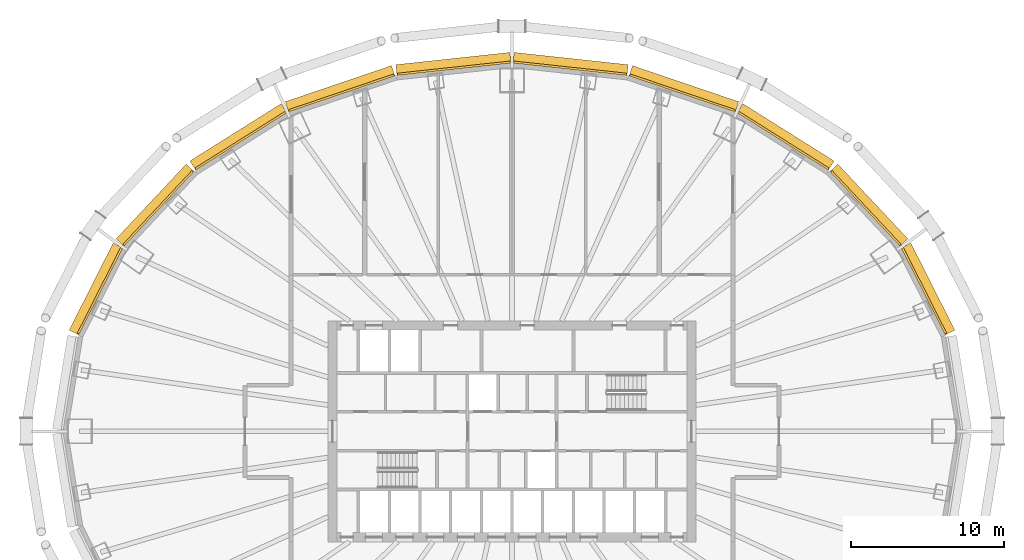
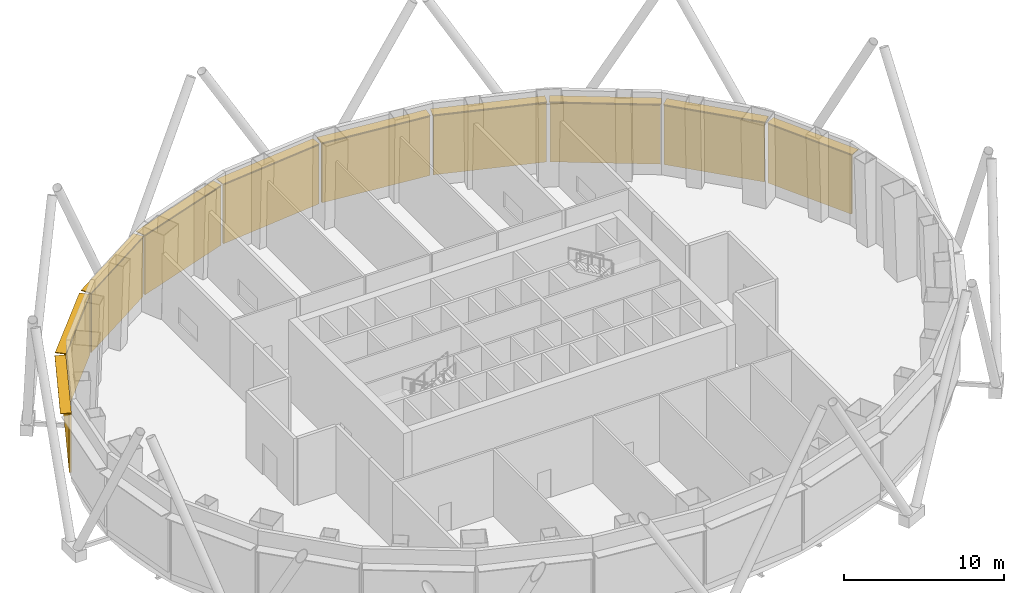
# One storey, part 13 of 13: 20 shading devices.
"""IFC4 building model written with IfcOpenShell, lengths in metres."""

from ifc_helpers import new_model, si_unit, direction, frame, origin, origin_2d, place, context, subcontext, project, spatial, rectangle, extrude, material, layer, layer_set, type_object, element, save


model = new_model("IFC4")

# Units and contexts
model_context = context("Model", 3, precision=1e-05, world=origin(), true_north=direction((0.0, 1.0)))
body_context = subcontext(model_context, "Body", "Model", "MODEL_VIEW")
ifc_project = project(units=[si_unit("LENGTHUNIT", "METRE"), si_unit("AREAUNIT", "SQUARE_METRE"), si_unit("VOLUMEUNIT", "CUBIC_METRE"), si_unit("PLANEANGLEUNIT", "RADIAN"), si_unit("MASSUNIT", "GRAM", prefix="KILO")], contexts=[model_context])

# Site, building, storey
site_placement = place(None, origin())
site = spatial("IfcSite", under=ifc_project, at=site_placement, CompositionType="ELEMENT")
building_placement = place(site_placement, origin())
building = spatial("IfcBuilding", under=site, at=building_placement, Name="Siaravel Broadcast Tower", CompositionType="ELEMENT")
storey_placement = place(building_placement, frame((0.0, 0.0, 7.0)))
storey = spatial("IfcBuildingStorey", under=building, at=storey_placement, Name="L01", CompositionType="ELEMENT", Elevation=7.0)

# Shading devices
ifc_material_1 = material(Name="Bronze anodised aluminium", Category="aluminium")
ifc_layer_1 = layer(ifc_material_1, 0.06005859375)
ifc_layer_set_1 = layer_set([ifc_layer_1], Name="Bronze anodised aluminium")
shading_device_type_1 = type_object("IfcShadingDeviceType", Name="Brise-soleil band", PredefinedType="USERDEFINED", material=ifc_layer_set_1)
shading_device_1_placement = place(storey_placement, frame((27.12060546875, 9.28271484375, 5.1298828125), z_axis=(0.0, 0.0, 1.0), x_axis=(-0.451262289, 0.892391364, 0.0)))
element("IfcShadingDevice", 1, at=shading_device_1_placement, inside=storey, type_object=shading_device_type_1, Name="L01 brise-soleil band 02", ObjectType="SUNSHADE", PredefinedType="USERDEFINED", context=body_context, shape_type="SweptSolid", body=[
    extrude(rectangle(XDim=6.351318359375, YDim=0.699951171875, at=origin_2d()), origin(), (0.0, 0.0, 1.0), 0.06005859375),
])
shading_device_2_placement = place(storey_placement, frame((23.26904296875, 14.748291015625, 5.1298828125), z_axis=(0.0, 0.0, 1.0), x_axis=(-0.683655992, 0.729804415, 0.0)))
element("IfcShadingDevice", 2, at=shading_device_2_placement, inside=storey, type_object=shading_device_type_1, Name="L01 brise-soleil band 03", ObjectType="SUNSHADE", PredefinedType="USERDEFINED", context=body_context, shape_type="SweptSolid", body=[
    extrude(rectangle(XDim=6.672119140625, YDim=0.699951171875, at=origin_2d()), origin(), (0.0, 0.0, 1.0), 0.06005859375),
])
shading_device_3_placement = place(storey_placement, frame((17.83984375, 19.1962890625, 5.1298828125), z_axis=(0.0, 0.0, 1.0), x_axis=(-0.846650436, 0.532149452, 0.0)))
element("IfcShadingDevice", 3, at=shading_device_3_placement, inside=storey, type_object=shading_device_type_1, Name="L01 brise-soleil band 04", ObjectType="SUNSHADE", PredefinedType="USERDEFINED", context=body_context, shape_type="SweptSolid", body=[
    extrude(rectangle(XDim=7.0244140625, YDim=0.699951171875, at=origin_2d()), origin(), (0.0, 0.0, 1.0), 0.06005859375),
])
shading_device_4_placement = place(storey_placement, frame((11.20751953125, 22.333251953125, 5.1298828125), z_axis=(0.0, 0.0, 1.0), x_axis=(-0.946977245, 0.321300635, 0.0)))
element("IfcShadingDevice", 4, at=shading_device_4_placement, inside=storey, type_object=shading_device_type_1, Name="L01 brise-soleil band 05", ObjectType="SUNSHADE", PredefinedType="USERDEFINED", context=body_context, shape_type="SweptSolid", body=[
    extrude(rectangle(XDim=7.316162109375, YDim=0.699951171875, at=origin_2d()), origin(), (0.0, 0.0, 1.0), 0.06005859375),
])
for number, where, z_axis, x_axis, name in (
    (5, (3.8212890625, 23.95458984375, 5.1298828125), (0.0, 0.0, 1.0), (-0.994235667, 0.107216783, 0.0), "L01 brise-soleil band 06"),
    (6, (-3.8212890625, 23.95458984375, 5.1298828125), (0.0, 0.0, 1.0), (-0.994235667, -0.107216783, 0.0), "L01 brise-soleil band 07"),
):
    element("IfcShadingDevice", number, at=place(storey_placement, frame(where, z_axis=z_axis, x_axis=x_axis)), inside=storey, type_object=shading_device_type_1, Name=name, ObjectType="SUNSHADE", PredefinedType="USERDEFINED", context=body_context, shape_type="SweptSolid", body=[
        extrude(rectangle(XDim=7.4794921875, YDim=0.699951171875, at=origin_2d()), origin(), (0.0, 0.0, 1.0), 0.06005859375),
    ])
shading_device_5_placement = place(storey_placement, frame((-11.20751953125, 22.333251953125, 5.1298828125), z_axis=(0.0, 0.0, 1.0), x_axis=(-0.946977245, -0.321300635, 0.0)))
element("IfcShadingDevice", 7, at=shading_device_5_placement, inside=storey, type_object=shading_device_type_1, Name="L01 brise-soleil band 08", ObjectType="SUNSHADE", PredefinedType="USERDEFINED", context=body_context, shape_type="SweptSolid", body=[
    extrude(rectangle(XDim=7.316162109375, YDim=0.699951171875, at=origin_2d()), origin(), (0.0, 0.0, 1.0), 0.06005859375),
])
shading_device_6_placement = place(storey_placement, frame((-17.83984375, 19.1962890625, 5.1298828125), z_axis=(0.0, 0.0, 1.0), x_axis=(-0.846650436, -0.532149452, 0.0)))
element("IfcShadingDevice", 8, at=shading_device_6_placement, inside=storey, type_object=shading_device_type_1, Name="L01 brise-soleil band 09", ObjectType="SUNSHADE", PredefinedType="USERDEFINED", context=body_context, shape_type="SweptSolid", body=[
    extrude(rectangle(XDim=7.0244140625, YDim=0.699951171875, at=origin_2d()), origin(), (0.0, 0.0, 1.0), 0.06005859375),
])
shading_device_7_placement = place(storey_placement, frame((-23.26904296875, 14.748291015625, 5.1298828125), z_axis=(0.0, 0.0, 1.0), x_axis=(-0.683655992, -0.729804415, 0.0)))
element("IfcShadingDevice", 9, at=shading_device_7_placement, inside=storey, type_object=shading_device_type_1, Name="L01 brise-soleil band 10", ObjectType="SUNSHADE", PredefinedType="USERDEFINED", context=body_context, shape_type="SweptSolid", body=[
    extrude(rectangle(XDim=6.672119140625, YDim=0.699951171875, at=origin_2d()), origin(), (0.0, 0.0, 1.0), 0.06005859375),
])
shading_device_8_placement = place(storey_placement, frame((-27.12060546875, 9.28271484375, 5.1298828125), z_axis=(0.0, 0.0, 1.0), x_axis=(-0.451262289, -0.892391364, 0.0)))
element("IfcShadingDevice", 10, at=shading_device_8_placement, inside=storey, type_object=shading_device_type_1, Name="L01 brise-soleil band 11", ObjectType="SUNSHADE", PredefinedType="USERDEFINED", context=body_context, shape_type="SweptSolid", body=[
    extrude(rectangle(XDim=6.351318359375, YDim=0.699951171875, at=origin_2d()), origin(), (0.0, 0.0, 1.0), 0.06005859375),
])
ifc_material_2 = material(Name="Precast concrete C40/50", Category="concrete")
ifc_layer_2 = layer(ifc_material_2, 0.139892578125)
ifc_layer_set_2 = layer_set([ifc_layer_2], Name="Precast concrete C40/50")
shading_device_type_2 = type_object("IfcShadingDeviceType", Name="Cobogo screen", PredefinedType="USERDEFINED", material=ifc_layer_set_2)
shading_device_9_placement = place(storey_placement, frame((26.87060546875, 9.156494140625, 0.60009765625), z_axis=(0.0, 0.0, 1.0), x_axis=(-0.451262289, 0.892391364, 0.0)))
element("IfcShadingDevice", 11, at=shading_device_9_placement, inside=storey, type_object=shading_device_type_2, Name="L01 cobogo screen 02", ObjectType="SCREEN", PredefinedType="USERDEFINED", context=body_context, shape_type="SweptSolid", body=[
    extrude(rectangle(XDim=6.25146484375, YDim=0.139892578125, at=origin_2d()), origin(), (0.0, 0.0, 1.0), 4.5),
])
shading_device_10_placement = place(storey_placement, frame((23.064697265625, 14.556884765625, 0.60009765625), z_axis=(0.0, 0.0, 1.0), x_axis=(-0.683655992, 0.729804415, 0.0)))
element("IfcShadingDevice", 12, at=shading_device_10_placement, inside=storey, type_object=shading_device_type_2, Name="L01 cobogo screen 03", ObjectType="SCREEN", PredefinedType="USERDEFINED", context=body_context, shape_type="SweptSolid", body=[
    extrude(rectangle(XDim=6.572021484375, YDim=0.139892578125, at=origin_2d()), origin(), (0.0, 0.0, 1.0), 4.5),
])
shading_device_11_placement = place(storey_placement, frame((17.69091796875, 18.958984375, 0.60009765625), z_axis=(0.0, 0.0, 1.0), x_axis=(-0.846650436, 0.532149452, 0.0)))
element("IfcShadingDevice", 13, at=shading_device_11_placement, inside=storey, type_object=shading_device_type_2, Name="L01 cobogo screen 04", ObjectType="SCREEN", PredefinedType="USERDEFINED", context=body_context, shape_type="SweptSolid", body=[
    extrude(rectangle(XDim=6.924560546875, YDim=0.139892578125, at=origin_2d()), origin(), (0.0, 0.0, 1.0), 4.5),
])
shading_device_12_placement = place(storey_placement, frame((11.117431640625, 22.068115234375, 0.60009765625), z_axis=(0.0, 0.0, 1.0), x_axis=(-0.946977245, 0.321300635, 0.0)))
element("IfcShadingDevice", 14, at=shading_device_12_placement, inside=storey, type_object=shading_device_type_2, Name="L01 cobogo screen 05", ObjectType="SCREEN", PredefinedType="USERDEFINED", context=body_context, shape_type="SweptSolid", body=[
    extrude(rectangle(XDim=7.21630859375, YDim=0.139892578125, at=origin_2d()), origin(), (0.0, 0.0, 1.0), 4.5),
])
for number, where, z_axis, x_axis, name in (
    (15, (3.791259765625, 23.676025390625, 0.60009765625), (0.0, 0.0, 1.0), (-0.994235667, 0.107216783, 0.0), "L01 cobogo screen 06"),
    (16, (-3.791259765625, 23.676025390625, 0.60009765625), (0.0, 0.0, 1.0), (-0.994235667, -0.107216783, 0.0), "L01 cobogo screen 07"),
):
    element("IfcShadingDevice", number, at=place(storey_placement, frame(where, z_axis=z_axis, x_axis=x_axis)), inside=storey, type_object=shading_device_type_2, Name=name, ObjectType="SCREEN", PredefinedType="USERDEFINED", context=body_context, shape_type="SweptSolid", body=[
        extrude(rectangle(XDim=7.379638671875, YDim=0.139892578125, at=origin_2d()), origin(), (0.0, 0.0, 1.0), 4.5),
    ])
shading_device_13_placement = place(storey_placement, frame((-11.117431640625, 22.068115234375, 0.60009765625), z_axis=(0.0, 0.0, 1.0), x_axis=(-0.946977245, -0.321300635, 0.0)))
element("IfcShadingDevice", 17, at=shading_device_13_placement, inside=storey, type_object=shading_device_type_2, Name="L01 cobogo screen 08", ObjectType="SCREEN", PredefinedType="USERDEFINED", context=body_context, shape_type="SweptSolid", body=[
    extrude(rectangle(XDim=7.21630859375, YDim=0.139892578125, at=origin_2d()), origin(), (0.0, 0.0, 1.0), 4.5),
])
shading_device_14_placement = place(storey_placement, frame((-17.69091796875, 18.958984375, 0.60009765625), z_axis=(0.0, 0.0, 1.0), x_axis=(-0.846650436, -0.532149452, 0.0)))
element("IfcShadingDevice", 18, at=shading_device_14_placement, inside=storey, type_object=shading_device_type_2, Name="L01 cobogo screen 09", ObjectType="SCREEN", PredefinedType="USERDEFINED", context=body_context, shape_type="SweptSolid", body=[
    extrude(rectangle(XDim=6.924560546875, YDim=0.139892578125, at=origin_2d()), origin(), (0.0, 0.0, 1.0), 4.5),
])
shading_device_15_placement = place(storey_placement, frame((-23.064697265625, 14.556884765625, 0.60009765625), z_axis=(0.0, 0.0, 1.0), x_axis=(-0.683655992, -0.729804415, 0.0)))
element("IfcShadingDevice", 19, at=shading_device_15_placement, inside=storey, type_object=shading_device_type_2, Name="L01 cobogo screen 10", ObjectType="SCREEN", PredefinedType="USERDEFINED", context=body_context, shape_type="SweptSolid", body=[
    extrude(rectangle(XDim=6.572021484375, YDim=0.139892578125, at=origin_2d()), origin(), (0.0, 0.0, 1.0), 4.5),
])
shading_device_16_placement = place(storey_placement, frame((-26.87060546875, 9.156494140625, 0.60009765625), z_axis=(0.0, 0.0, 1.0), x_axis=(-0.451262289, -0.892391364, 0.0)))
element("IfcShadingDevice", 20, at=shading_device_16_placement, inside=storey, type_object=shading_device_type_2, Name="L01 cobogo screen 11", ObjectType="SCREEN", PredefinedType="USERDEFINED", context=body_context, shape_type="SweptSolid", body=[
    extrude(rectangle(XDim=6.25146484375, YDim=0.139892578125, at=origin_2d()), origin(), (0.0, 0.0, 1.0), 4.5),
])

save(model, "model.ifc")
